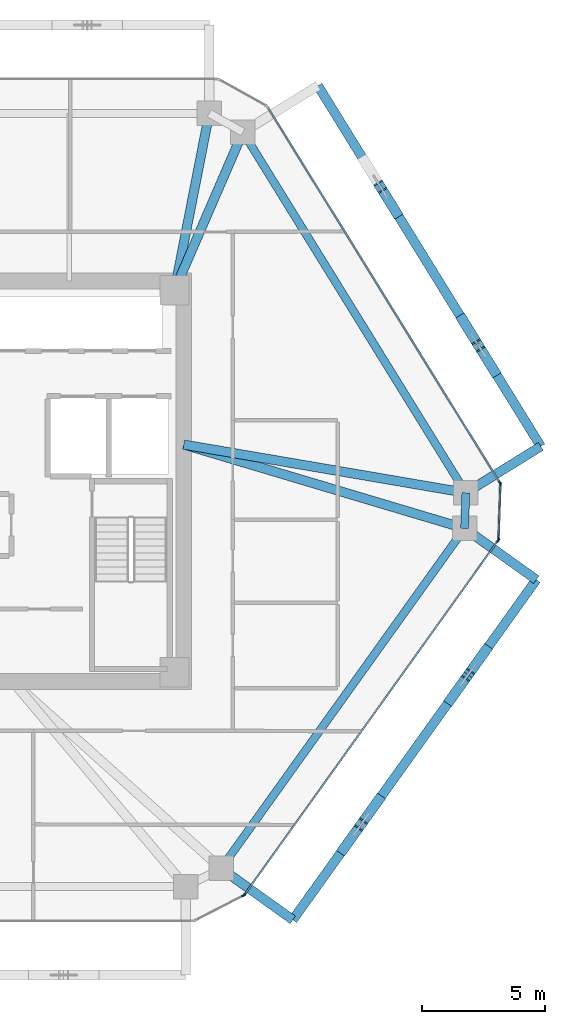
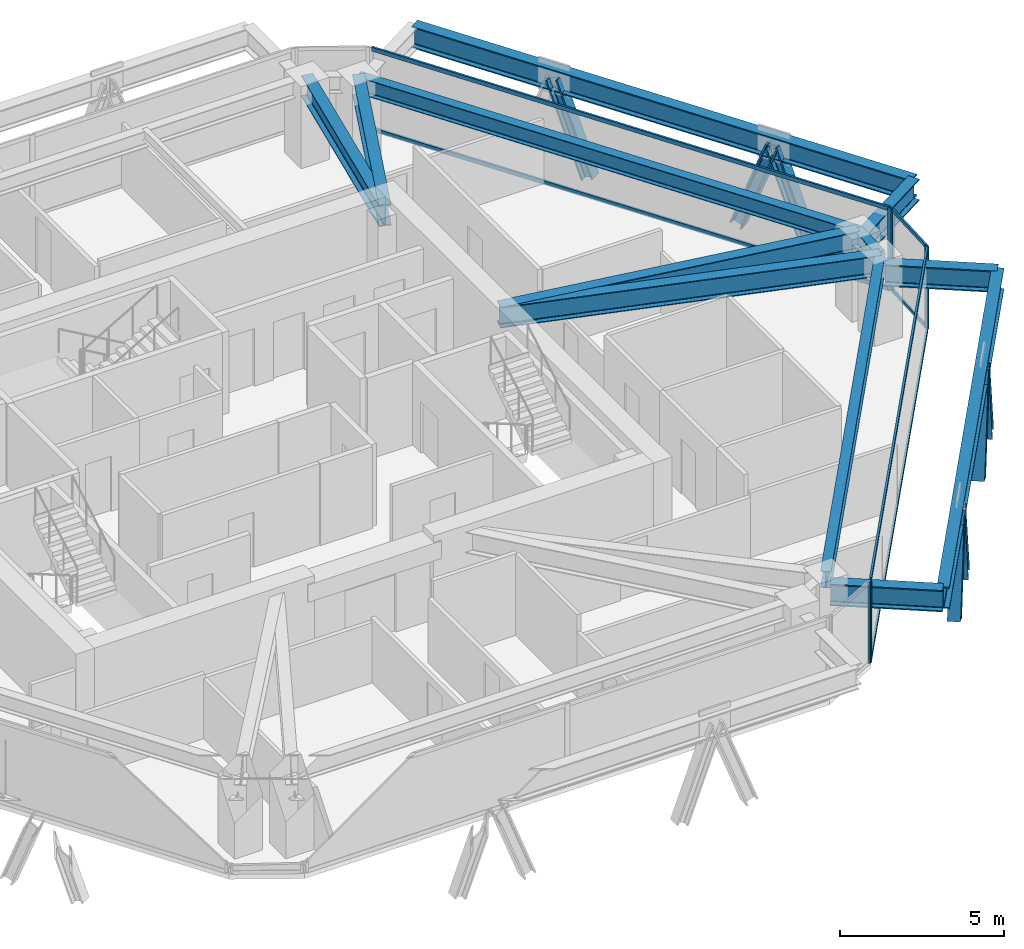
# One storey, part 5 of 14: 19 members, 12 beams, 4 elements without a shape of their own.
"""IFC4 building model written with IfcOpenShell, lengths in metres."""

from ifc_helpers import new_model, si_unit, direction, frame, origin, origin_2d, place, context, subcontext, project, spatial, rectangle, i_section, extrude, source, transform, mapped, material, layer, layer_set, material_profile, profile_set, type_object, type_shapes, element, aggregate, save


model = new_model("IFC4")

# Units and contexts
model_context = context("Model", 3, precision=1e-05, world=origin(), true_north=direction((0.0, 1.0)))
body_context = subcontext(model_context, "Body", "Model", "MODEL_VIEW")
ifc_project = project(units=[si_unit("LENGTHUNIT", "METRE"), si_unit("AREAUNIT", "SQUARE_METRE"), si_unit("VOLUMEUNIT", "CUBIC_METRE"), si_unit("PLANEANGLEUNIT", "RADIAN"), si_unit("MASSUNIT", "GRAM", prefix="KILO")], contexts=[model_context])

# Site, building, storey
site_placement = place(None, origin())
site = spatial("IfcSite", under=ifc_project, at=site_placement, CompositionType="ELEMENT")
building_placement = place(site_placement, origin())
building = spatial("IfcBuilding", under=site, at=building_placement, Name="Durnholm Broadcast Tower", CompositionType="ELEMENT")
storey_placement = place(building_placement, frame((0.0, 0.0, 187.0)))
storey = spatial("IfcBuildingStorey", under=building, at=storey_placement, Name="L51", CompositionType="ELEMENT", Elevation=187.0)

# Beams
ifc_material_1 = material(Name="Steel ASTM A992 Grade 50", Category="steel")
ifc_material_profile_1 = material_profile(ifc_material_1, i_section(OverallWidth=0.385009765625, OverallDepth=0.802978515625, WebThickness=0.023681640625, FlangeThickness=0.0419921875, FilletRadius=0.032958984375, at=origin_2d()), Name="W30X261")
ifc_profile_set_1 = profile_set([ifc_material_profile_1], Name="Steel ASTM A992 Grade 50")
beam_type_1 = type_object("IfcBeamType", Name="BM-EXO-TIE", PredefinedType="USERDEFINED", material=ifc_profile_set_1)
shared_shape_1 = source(origin(), body_context, "Body", "SweptSolid", [
    extrude(i_section(OverallWidth=0.385009765625, OverallDepth=0.802978515625, WebThickness=0.023681640625, FlangeThickness=0.0419921875, FilletRadius=0.032958984375, at=origin_2d()), origin(), (0.0, 0.0, 1.0), 3.4560546875),
])
for number, where, z_axis, x_axis, name in (
    (1, (11.81689453125, -15.884033203125, 2.30859375), (0.813079048773, -0.582153296346, 0.0), (0.582153296346, 0.813079048773, 0.0), "L51 exoskeleton stand-off tie bracket F2.1"),
    (2, (21.7548828125, -2.00341796875, 2.30859375), (0.813079048773, -0.582153296346, 0.0), (0.582153296346, 0.813079048773, 0.0), "L51 exoskeleton stand-off tie bracket F2.2"),
    (3, (21.8095703125, -0.3916015625, 2.30859375), (0.850662348375, 0.525712439512, 0.0), (-0.525712439512, 0.850662348375, 0.0), "L51 exoskeleton stand-off tie bracket F3.1"),
):
    element("IfcBeam", number, at=place(storey_placement, frame(where, z_axis=z_axis, x_axis=x_axis)), inside=storey, type_object=beam_type_1, Name=name, ObjectType="GIRDER", PredefinedType="USERDEFINED", context=body_context, shape_type="MappedRepresentation", body=[
        mapped(shared_shape_1, transform((0.0, 0.0, 0.0), x_axis=(1.0, 0.0, 0.0), y_axis=(0.0, 1.0, 0.0), z_axis=(0.0, 0.0, 1.0), scale=1.0)),
    ])
ifc_material_profile_2 = material_profile(ifc_material_1, i_section(OverallWidth=0.3251953125, OverallDepth=0.6162109375, WebThickness=0.013916015625, FlangeThickness=0.021484375, FilletRadius=0.02783203125, at=origin_2d()), Name="W24X117")
ifc_profile_set_2 = profile_set([ifc_material_profile_2], Name="Steel ASTM A992 Grade 50")
beam_type_2 = type_object("IfcBeamType", Name="STL-SP-W24X117", PredefinedType="SPANDREL", material=ifc_profile_set_2)
shared_shape_2 = source(origin(), body_context, "Body", "SweptSolid", [
    extrude(i_section(OverallWidth=0.3251953125, OverallDepth=0.6162109375, WebThickness=0.013916015625, FlangeThickness=0.021484375, FilletRadius=0.02783203125, at=origin_2d()), origin(), (0.0, 0.0, 1.0), 17.30322265625),
])
beam_1_placement = place(storey_placement, frame((12.5908203125, 14.252197265625, 2.73681640625), z_axis=(0.525691424148, -0.850675335588, 0.0), x_axis=(0.850675335588, 0.525691424148, 0.0)))
element("IfcBeam", 4, at=beam_1_placement, inside=storey, type_object=beam_type_2, Name="L51 perimeter spandrel girder 07", PredefinedType="SPANDREL", context=body_context, shape_type="MappedRepresentation", body=[
    mapped(shared_shape_2, transform((0.0, 0.0, 0.0), x_axis=(1.0, 0.0, 0.0), y_axis=(0.0, 1.0, 0.0), z_axis=(0.0, 0.0, 1.0), scale=1.0)),
])
shared_shape_3 = source(origin(), body_context, "Body", "SweptSolid", [
    extrude(i_section(OverallWidth=0.3251953125, OverallDepth=0.6162109375, WebThickness=0.013916015625, FlangeThickness=0.021484375, FilletRadius=0.02783203125, at=origin_2d()), origin(), (0.0, 0.0, 1.0), 1.453125),
])
beam_2_placement = place(storey_placement, frame((21.68701171875, -0.46728515625, 2.73681640625), z_axis=(-0.033767922326, -0.99942970109, 0.0), x_axis=(0.99942970109, -0.033767922326, 0.0)))
element("IfcBeam", 5, at=beam_2_placement, inside=storey, type_object=beam_type_2, Name="L51 perimeter spandrel girder 08", PredefinedType="SPANDREL", context=body_context, shape_type="MappedRepresentation", body=[
    mapped(shared_shape_3, transform((0.0, 0.0, 0.0), x_axis=(1.0, 0.0, 0.0), y_axis=(0.0, 1.0, 0.0), z_axis=(0.0, 0.0, 1.0), scale=1.0)),
])
shared_shape_4 = source(origin(), body_context, "Body", "SweptSolid", [
    extrude(i_section(OverallWidth=0.3251953125, OverallDepth=0.6162109375, WebThickness=0.013916015625, FlangeThickness=0.021484375, FilletRadius=0.02783203125, at=origin_2d()), origin(), (0.0, 0.0, 1.0), 17.071533203125),
])
type_shapes(beam_type_2, [shared_shape_2, shared_shape_3, shared_shape_4])
beam_3_placement = place(storey_placement, frame((21.637939453125, -1.919677734375, 2.73681640625), z_axis=(-0.582149612352, -0.813081686449, 0.0), x_axis=(0.813081686449, -0.582149612352, 0.0)))
element("IfcBeam", 6, at=beam_3_placement, inside=storey, type_object=beam_type_2, Name="L51 perimeter spandrel girder 09", PredefinedType="SPANDREL", context=body_context, shape_type="MappedRepresentation", body=[
    mapped(shared_shape_4, transform((0.0, 0.0, 0.0), x_axis=(1.0, 0.0, 0.0), y_axis=(0.0, 1.0, 0.0), z_axis=(0.0, 0.0, 1.0), scale=1.0)),
])
ifc_material_profile_3 = material_profile(ifc_material_1, i_section(OverallWidth=0.380615234375, OverallDepth=0.773193359375, WebThickness=0.0166015625, FlangeThickness=0.027099609375, FilletRadius=0.032958984375, at=origin_2d()), Name="W30X173")
ifc_profile_set_3 = profile_set([ifc_material_profile_3], Name="Steel ASTM A992 Grade 50")
beam_type_3 = type_object("IfcBeamType", Name="STL-GR-W30X173", PredefinedType="USERDEFINED", material=ifc_profile_set_3)
shared_shape_5 = source(origin(), body_context, "Body", "SweptSolid", [
    extrude(i_section(OverallWidth=0.380615234375, OverallDepth=0.773193359375, WebThickness=0.0166015625, FlangeThickness=0.027099609375, FilletRadius=0.032958984375, at=origin_2d()), origin(), (0.0, 0.0, 1.0), 7.35595703125),
])
beam_4_placement = place(storey_placement, frame((9.800048828125, 7.800048828125, 2.658447265625), z_axis=(0.192700221893, 0.981257674865, 0.0), x_axis=(-0.981257674865, 0.192700221893, 0.0)))
element("IfcBeam", 7, at=beam_4_placement, inside=storey, type_object=beam_type_3, Name="L51 radial primary floor girder 06", ObjectType="GIRDER", PredefinedType="USERDEFINED", context=body_context, shape_type="MappedRepresentation", body=[
    mapped(shared_shape_5, transform((0.0, 0.0, 0.0), x_axis=(1.0, 0.0, 0.0), y_axis=(0.0, 1.0, 0.0), z_axis=(0.0, 0.0, 1.0), scale=1.0)),
])
shared_shape_6 = source(origin(), body_context, "Body", "SweptSolid", [
    extrude(i_section(OverallWidth=0.380615234375, OverallDepth=0.773193359375, WebThickness=0.0166015625, FlangeThickness=0.027099609375, FilletRadius=0.032958984375, at=origin_2d()), origin(), (0.0, 0.0, 1.0), 7.02978515625),
])
beam_5_placement = place(storey_placement, frame((9.800048828125, 7.800048828125, 2.658447265625), z_axis=(0.396989434191, 0.91782317967, 0.0), x_axis=(-0.91782317967, 0.396989434191, 0.0)))
element("IfcBeam", 8, at=beam_5_placement, inside=storey, type_object=beam_type_3, Name="L51 radial primary floor girder 07", ObjectType="GIRDER", PredefinedType="USERDEFINED", context=body_context, shape_type="MappedRepresentation", body=[
    mapped(shared_shape_6, transform((0.0, 0.0, 0.0), x_axis=(1.0, 0.0, 0.0), y_axis=(0.0, 1.0, 0.0), z_axis=(0.0, 0.0, 1.0), scale=1.0)),
])
shared_shape_7 = source(origin(), body_context, "Body", "SweptSolid", [
    extrude(i_section(OverallWidth=0.385009765625, OverallDepth=0.802978515625, WebThickness=0.023681640625, FlangeThickness=0.0419921875, FilletRadius=0.032958984375, at=origin_2d()), origin(), (0.0, 0.0, 1.0), 17.071533203125),
])
beam_6_placement = place(storey_placement, frame((14.626953125, -17.89599609375, 2.30859375), z_axis=(0.582140157836, 0.813088455603, 0.0), x_axis=(-0.813088455603, 0.582140157836, 0.0)))
element("IfcBeam", 9, at=beam_6_placement, inside=storey, type_object=beam_type_1, Name="L51 exoskeleton collector spandrel F2", PredefinedType="SPANDREL", context=body_context, shape_type="MappedRepresentation", body=[
    mapped(shared_shape_7, transform((0.0, 0.0, 0.0), x_axis=(1.0, 0.0, 0.0), y_axis=(0.0, 1.0, 0.0), z_axis=(0.0, 0.0, 1.0), scale=1.0)),
])
shared_shape_8 = source(origin(), body_context, "Body", "SweptSolid", [
    extrude(i_section(OverallWidth=0.385009765625, OverallDepth=0.802978515625, WebThickness=0.023681640625, FlangeThickness=0.0419921875, FilletRadius=0.032958984375, at=origin_2d()), origin(), (0.0, 0.0, 1.0), 17.303466796875),
])
type_shapes(beam_type_1, [shared_shape_1, shared_shape_7, shared_shape_8])
beam_7_placement = place(storey_placement, frame((24.74951171875, 1.42529296875, 2.30859375), z_axis=(-0.525701634347, 0.850669025911, 0.0), x_axis=(-0.850669025911, -0.525701634347, 0.0)))
element("IfcBeam", 10, at=beam_7_placement, inside=storey, type_object=beam_type_1, Name="L51 exoskeleton collector spandrel F3", PredefinedType="SPANDREL", context=body_context, shape_type="MappedRepresentation", body=[
    mapped(shared_shape_8, transform((0.0, 0.0, 0.0), x_axis=(1.0, 0.0, 0.0), y_axis=(0.0, 1.0, 0.0), z_axis=(0.0, 0.0, 1.0), scale=1.0)),
])
shared_shape_9 = source(origin(), body_context, "Body", "SweptSolid", [
    extrude(i_section(OverallWidth=0.380615234375, OverallDepth=0.773193359375, WebThickness=0.0166015625, FlangeThickness=0.027099609375, FilletRadius=0.032958984375, at=origin_2d()), origin(), (0.0, 0.0, 1.0), 11.678955078125),
])
beam_8_placement = place(storey_placement, frame((10.175048828125, 1.5, 2.658447265625), z_axis=(0.985710446264, -0.168448556317, 0.0), x_axis=(0.168448556317, 0.985710446264, 0.0)))
element("IfcBeam", 11, at=beam_8_placement, inside=storey, type_object=beam_type_3, Name="L51 radial primary floor girder 08", ObjectType="GIRDER", PredefinedType="USERDEFINED", context=body_context, shape_type="MappedRepresentation", body=[
    mapped(shared_shape_9, transform((0.0, 0.0, 0.0), x_axis=(1.0, 0.0, 0.0), y_axis=(0.0, 1.0, 0.0), z_axis=(0.0, 0.0, 1.0), scale=1.0)),
])
shared_shape_10 = source(origin(), body_context, "Body", "SweptSolid", [
    extrude(i_section(OverallWidth=0.380615234375, OverallDepth=0.773193359375, WebThickness=0.0166015625, FlangeThickness=0.027099609375, FilletRadius=0.032958984375, at=origin_2d()), origin(), (0.0, 0.0, 1.0), 11.962158203125),
])
type_shapes(beam_type_3, [shared_shape_5, shared_shape_6, shared_shape_9, shared_shape_10])
beam_9_placement = place(storey_placement, frame((10.175048828125, 1.5, 2.658447265625), z_axis=(0.958266673737, -0.285875815706, 0.0), x_axis=(0.285875815706, 0.958266673737, 0.0)))
element("IfcBeam", 12, at=beam_9_placement, inside=storey, type_object=beam_type_3, Name="L51 radial primary floor girder 09", ObjectType="GIRDER", PredefinedType="USERDEFINED", context=body_context, shape_type="MappedRepresentation", body=[
    mapped(shared_shape_10, transform((0.0, 0.0, 0.0), x_axis=(1.0, 0.0, 0.0), y_axis=(0.0, 1.0, 0.0), z_axis=(0.0, 0.0, 1.0), scale=1.0)),
])

# Members
ifc_material_2 = material(Name="Steel ASTM A913 Grade 65", Category="steel")
ifc_material_profile_4 = material_profile(ifc_material_2, i_section(OverallWidth=0.412109375, OverallDepth=0.434814453125, WebThickness=0.035888671875, FlangeThickness=0.057373046875, FilletRadius=0.030517578125, at=origin_2d()), Name="W14X311")
ifc_profile_set_4 = profile_set([ifc_material_profile_4], Name="Steel ASTM A913 Grade 65")
member_type_1 = type_object("IfcMemberType", Name="STL-DG-W14X311", PredefinedType="BRACE", material=ifc_profile_set_4)
shared_shape_11 = source(origin(), body_context, "Body", "SweptSolid", [
    extrude(i_section(OverallWidth=0.412109375, OverallDepth=0.434814453125, WebThickness=0.035888671875, FlangeThickness=0.057373046875, FilletRadius=0.030517578125, at=origin_2d()), origin(), (0.0, 0.0, 1.0), 3.523193359375),
])
for number, where, z_axis, x_axis, name in (
    (13, (16.69140625, -15.0126953125, -0.991455078125), (0.203869234398, 0.284737826017, 0.936675880815), (-0.813077820009, 0.582155012526, 0.0), "L51 stand-off diagrid brace F2.D1.1"),
    (14, (18.1279296875, -13.00634765625, -0.991455078125), (-0.203869234398, -0.284737826017, 0.936675880815), (0.813077820009, -0.582155012526, 0.0), "L51 stand-off diagrid brace F2.D1.2"),
    (15, (21.064208984375, -8.905029296875, -0.991455078125), (0.203869234398, 0.284737826017, 0.936675880815), (-0.813077820009, 0.582155012526, 0.0), "L51 stand-off diagrid brace F2.D2.1"),
    (16, (22.50048828125, -6.898681640625, -0.991455078125), (-0.203802816986, -0.284741848009, 0.936689111595), (0.813171482985, -0.58202417412, 0.0), "L51 stand-off diagrid brace F2.D2.2"),
    (17, (22.85107421875, 4.497314453125, -0.991455078125), (-0.18411903749, 0.297902800967, 0.936671821509), (-0.850644447398, -0.525741404219, 0.0), "L51 stand-off diagrid brace F3.D1.1"),
):
    element("IfcMember", number, at=place(storey_placement, frame(where, z_axis=z_axis, x_axis=x_axis)), inside=storey, type_object=member_type_1, Name=name, PredefinedType="BRACE", context=body_context, shape_type="MappedRepresentation", body=[
        mapped(shared_shape_11, transform((0.0, 0.0, 0.0), x_axis=(1.0, 0.0, 0.0), y_axis=(0.0, 1.0, 0.0), z_axis=(0.0, 0.0, 1.0), scale=1.0)),
    ])
shared_shape_12 = source(origin(), body_context, "Body", "SweptSolid", [
    extrude(i_section(OverallWidth=0.412109375, OverallDepth=0.434814453125, WebThickness=0.035888671875, FlangeThickness=0.057373046875, FilletRadius=0.030517578125, at=origin_2d()), origin(), (0.0, 0.0, 1.0), 3.52294921875),
])
type_shapes(member_type_1, [shared_shape_11, shared_shape_12])
for number, where, z_axis, x_axis, name in (
    (18, (21.553955078125, 6.59619140625, -0.991455078125), (0.184055888727, -0.297843452465, 0.936703105391), (0.85067825406, 0.525686701439, 0.0), "L51 stand-off diagrid brace F3.D1.2"),
    (19, (18.8486328125, 10.973876953125, -0.991455078125), (-0.184055888727, 0.297843452465, 0.936703105391), (-0.85067825406, -0.525686701439, 0.0), "L51 stand-off diagrid brace F3.D2.1"),
):
    element("IfcMember", number, at=place(storey_placement, frame(where, z_axis=z_axis, x_axis=x_axis)), inside=storey, type_object=member_type_1, Name=name, PredefinedType="BRACE", context=body_context, shape_type="MappedRepresentation", body=[
        mapped(shared_shape_12, transform((0.0, 0.0, 0.0), x_axis=(1.0, 0.0, 0.0), y_axis=(0.0, 1.0, 0.0), z_axis=(0.0, 0.0, 1.0), scale=1.0)),
    ])

# Curtain wall, members
ifc_material_3 = material(Name="Aluminium and Solar Control IGU", Category="aluminium")
ifc_layer_1 = layer(ifc_material_3, 0.1650390625)
ifc_layer_set_1 = layer_set([ifc_layer_1], Name="Aluminium and Solar Control IGU")
curtain_wall_type_1 = type_object("IfcCurtainWallType", Name="CW-SYS-5", PredefinedType="NOTDEFINED", material=ifc_layer_set_1)
curtain_wall_1_placement = place(storey_placement, origin())
curtain_wall_1 = element("IfcCurtainWall", 20, at=curtain_wall_1_placement, inside=storey, type_object=curtain_wall_type_1, Name="L51 curtain wall CW-CORNER CW-L51-CRN-07", PredefinedType="NOTDEFINED")
ifc_material_4 = material(Name="Aluminium 6063-T6", Category="aluminium")
ifc_material_profile_5 = material_profile(ifc_material_4, rectangle(XDim=0.06494140625, YDim=0.1650390625, at=origin_2d()), Name="CWM65X165")
ifc_profile_set_5 = profile_set([ifc_material_profile_5], Name="Aluminium 6063-T6")
member_type_2 = type_object("IfcMemberType", Name="CW-SYS-5-MUL", PredefinedType="MULLION", material=ifc_profile_set_5)
shared_shape_13 = source(origin(), body_context, "Body", "SweptSolid", [
    extrude(rectangle(XDim=0.06494140625, YDim=0.1650390625, at=origin_2d()), origin(), (0.0, 0.0, 1.0), 3.06005859375),
])
type_shapes(member_type_2, [shared_shape_13])
member_1_placement = place(storey_placement, frame((23.099609375, -0.1240234375, 0.0), z_axis=(0.0, 0.0, 1.0), x_axis=(0.999424798802, -0.033912704699, 0.0)))
member_1 = element("IfcMember", 21, at=member_1_placement, type_object=member_type_2, Name="CW-CORNER mullion 1", PredefinedType="MULLION", context=body_context, shape_type="MappedRepresentation", body=[
    mapped(shared_shape_13, transform((0.0, 0.0, 0.0), x_axis=(1.0, 0.0, 0.0), y_axis=(0.0, 1.0, 0.0), z_axis=(0.0, 0.0, 1.0), scale=1.0)),
])
member_2_placement = place(storey_placement, frame((23.023681640625, -2.35791015625, 0.0), z_axis=(0.0, 0.0, 1.0), x_axis=(0.999424798802, -0.033912704699, 0.0)))
member_2 = element("IfcMember", 22, at=member_2_placement, type_object=member_type_2, Name="CW-CORNER mullion 2", PredefinedType="MULLION", context=body_context, shape_type="MappedRepresentation", body=[
    mapped(shared_shape_13, transform((0.0, 0.0, 0.0), x_axis=(1.0, 0.0, 0.0), y_axis=(0.0, 1.0, 0.0), z_axis=(0.0, 0.0, 1.0), scale=1.0)),
])

# Curtain wall, member
curtain_wall_2_placement = place(storey_placement, origin())
curtain_wall_2 = element("IfcCurtainWall", 23, at=curtain_wall_2_placement, inside=storey, type_object=curtain_wall_type_1, Name="L51 curtain wall CW-CORNER CW-L51-CRN-09", PredefinedType="NOTDEFINED")
member_3_placement = place(storey_placement, frame((12.612060546875, -16.905517578125, 0.0), z_axis=(0.0, 0.0, 1.0), x_axis=(0.457081764476, -0.889424679545, 0.0)))
member_3 = element("IfcMember", 24, at=member_3_placement, type_object=member_type_2, Name="CW-CORNER mullion 1", PredefinedType="MULLION", context=body_context, shape_type="MappedRepresentation", body=[
    mapped(shared_shape_13, transform((0.0, 0.0, 0.0), x_axis=(1.0, 0.0, 0.0), y_axis=(0.0, 1.0, 0.0), z_axis=(0.0, 0.0, 1.0), scale=1.0)),
])
aggregate(curtain_wall_2, [member_3])

# Member
ifc_material_profile_6 = material_profile(ifc_material_4, rectangle(XDim=0.06494140625, YDim=0.1298828125, at=origin_2d()), Name="CWT65X130")
ifc_profile_set_6 = profile_set([ifc_material_profile_6], Name="Aluminium 6063-T6")
member_type_3 = type_object("IfcMemberType", Name="CW-SYS-5-TRN", PredefinedType="USERDEFINED", material=ifc_profile_set_6)
shared_shape_14 = source(origin(), body_context, "Body", "SweptSolid", [
    extrude(rectangle(XDim=0.06494140625, YDim=0.1298828125, at=origin_2d()), origin(), (0.0, 0.0, 1.0), 2.170166015625),
])
type_shapes(member_type_3, [shared_shape_14])
member_4_placement = place(storey_placement, frame((23.098388671875, -0.156494140625, 0.032470703125), z_axis=(-0.033861704743, -0.999426528041, 0.0), x_axis=(0.999426528041, -0.033861704743, 0.0)))
member_4 = element("IfcMember", 25, at=member_4_placement, type_object=member_type_3, Name="CW-CORNER transom 1.1", ObjectType="TRANSOM", PredefinedType="USERDEFINED", context=body_context, shape_type="MappedRepresentation", body=[
    mapped(shared_shape_14, transform((0.0, 0.0, 0.0), x_axis=(1.0, 0.0, 0.0), y_axis=(0.0, 1.0, 0.0), z_axis=(0.0, 0.0, 1.0), scale=1.0)),
])

member_5_placement = place(storey_placement, frame((23.098388671875, -0.156494140625, 3.027587890625), z_axis=(-0.033861704743, -0.999426528041, 0.0), x_axis=(0.999426528041, -0.033861704743, 0.0)))
member_5 = element("IfcMember", 26, at=member_5_placement, type_object=member_type_3, Name="CW-CORNER transom 1.2", ObjectType="TRANSOM", PredefinedType="USERDEFINED", context=body_context, shape_type="MappedRepresentation", body=[
    mapped(shared_shape_14, transform((0.0, 0.0, 0.0), x_axis=(1.0, 0.0, 0.0), y_axis=(0.0, 1.0, 0.0), z_axis=(0.0, 0.0, 1.0), scale=1.0)),
])

aggregate(curtain_wall_1, [member_1, member_2, member_4, member_5])

# Curtain wall, members
ifc_layer_2 = layer(ifc_material_3, 0.18994140625)
ifc_layer_set_2 = layer_set([ifc_layer_2], Name="Aluminium and Solar Control IGU")
curtain_wall_type_2 = type_object("IfcCurtainWallType", Name="CW-SYS-4", PredefinedType="NOTDEFINED", material=ifc_layer_set_2)
curtain_wall_3_placement = place(storey_placement, origin())
curtain_wall_3 = element("IfcCurtainWall", 27, at=curtain_wall_3_placement, inside=storey, type_object=curtain_wall_type_2, Name="L51 curtain wall CW-Z34-VIS CW-L51-F06", PredefinedType="NOTDEFINED")
ifc_material_profile_7 = material_profile(ifc_material_4, rectangle(XDim=0.070068359375, YDim=0.14990234375, at=origin_2d()), Name="CWT70X150")
ifc_profile_set_7 = profile_set([ifc_material_profile_7], Name="Aluminium 6063-T6")
member_type_4 = type_object("IfcMemberType", Name="CW-SYS-4-TRN", PredefinedType="USERDEFINED", material=ifc_profile_set_7)
shared_shape_15 = source(origin(), body_context, "Body", "SweptSolid", [
    extrude(rectangle(XDim=0.070068359375, YDim=0.14990234375, at=origin_2d()), origin(), (0.0, 0.0, 1.0), 17.950927734375),
])
member_6_placement = place(storey_placement, frame((13.627197265625, 15.23828125, 0.034912109375), z_axis=(0.525699895853, -0.850670100274, 0.0), x_axis=(0.850670100274, 0.525699895853, 0.0)))
member_6 = element("IfcMember", 28, at=member_6_placement, type_object=member_type_4, Name="CW-Z34-VIS transom 1.1", ObjectType="TRANSOM", PredefinedType="USERDEFINED", context=body_context, shape_type="MappedRepresentation", body=[
    mapped(shared_shape_15, transform((0.0, 0.0, 0.0), x_axis=(1.0, 0.0, 0.0), y_axis=(0.0, 1.0, 0.0), z_axis=(0.0, 0.0, 1.0), scale=1.0)),
])
member_7_placement = place(storey_placement, frame((13.627197265625, 15.23828125, 3.02490234375), z_axis=(0.525699895853, -0.850670100274, 0.0), x_axis=(0.850670100274, 0.525699895853, 0.0)))
member_7 = element("IfcMember", 29, at=member_7_placement, type_object=member_type_4, Name="CW-Z34-VIS transom 1.2", ObjectType="TRANSOM", PredefinedType="USERDEFINED", context=body_context, shape_type="MappedRepresentation", body=[
    mapped(shared_shape_15, transform((0.0, 0.0, 0.0), x_axis=(1.0, 0.0, 0.0), y_axis=(0.0, 1.0, 0.0), z_axis=(0.0, 0.0, 1.0), scale=1.0)),
])

curtain_wall_4_placement = place(storey_placement, origin())
curtain_wall_4 = element("IfcCurtainWall", 30, at=curtain_wall_4_placement, inside=storey, type_object=curtain_wall_type_2, Name="L51 curtain wall CW-Z34-VIS CW-L51-F08", PredefinedType="NOTDEFINED")
shared_shape_16 = source(origin(), body_context, "Body", "SweptSolid", [
    extrude(rectangle(XDim=0.070068359375, YDim=0.14990234375, at=origin_2d()), origin(), (0.0, 0.0, 1.0), 17.693603515625),
])
type_shapes(member_type_4, [shared_shape_15, shared_shape_16])
member_8_placement = place(storey_placement, frame((22.98193359375, -2.447265625, 0.034912109375), z_axis=(-0.582144969277, -0.813085010774, 0.0), x_axis=(0.813085010774, -0.582144969277, 0.0)))
member_8 = element("IfcMember", 31, at=member_8_placement, type_object=member_type_4, Name="CW-Z34-VIS transom 1.1", ObjectType="TRANSOM", PredefinedType="USERDEFINED", context=body_context, shape_type="MappedRepresentation", body=[
    mapped(shared_shape_16, transform((0.0, 0.0, 0.0), x_axis=(1.0, 0.0, 0.0), y_axis=(0.0, 1.0, 0.0), z_axis=(0.0, 0.0, 1.0), scale=1.0)),
])
member_9_placement = place(storey_placement, frame((22.98193359375, -2.447265625, 3.02490234375), z_axis=(-0.582144969277, -0.813085010774, 0.0), x_axis=(0.813085010774, -0.582144969277, 0.0)))
member_9 = element("IfcMember", 32, at=member_9_placement, type_object=member_type_4, Name="CW-Z34-VIS transom 1.2", ObjectType="TRANSOM", PredefinedType="USERDEFINED", context=body_context, shape_type="MappedRepresentation", body=[
    mapped(shared_shape_16, transform((0.0, 0.0, 0.0), x_axis=(1.0, 0.0, 0.0), y_axis=(0.0, 1.0, 0.0), z_axis=(0.0, 0.0, 1.0), scale=1.0)),
])

# Member
ifc_material_profile_8 = material_profile(ifc_material_4, rectangle(XDim=0.070068359375, YDim=0.18994140625, at=origin_2d()), Name="CWM70X190")
ifc_profile_set_8 = profile_set([ifc_material_profile_8], Name="Aluminium 6063-T6")
member_type_5 = type_object("IfcMemberType", Name="CW-SYS-4-MUL", PredefinedType="MULLION", material=ifc_profile_set_8)
shared_shape_17 = source(origin(), body_context, "Body", "SweptSolid", [
    extrude(rectangle(XDim=0.070068359375, YDim=0.18994140625, at=origin_2d()), origin(), (0.0, 0.0, 1.0), 3.06005859375),
])
type_shapes(member_type_5, [shared_shape_17])
member_10_placement = place(storey_placement, frame((23.082275390625, -0.061767578125, 0.0), z_axis=(0.0, 0.0, 1.0), x_axis=(0.850671426092, 0.525697750452, 0.0)))
member_10 = element("IfcMember", 33, at=member_10_placement, type_object=member_type_5, Name="CW-Z34-VIS mullion 2", PredefinedType="MULLION", context=body_context, shape_type="MappedRepresentation", body=[
    mapped(shared_shape_17, transform((0.0, 0.0, 0.0), x_axis=(1.0, 0.0, 0.0), y_axis=(0.0, 1.0, 0.0), z_axis=(0.0, 0.0, 1.0), scale=1.0)),
])

aggregate(curtain_wall_3, [member_10, member_6, member_7])

member_11_placement = place(storey_placement, frame((23.00244140625, -2.418701171875, 0.0), z_axis=(0.0, 0.0, 1.0), x_axis=(0.813089262696, -0.582139030549, 0.0)))
member_11 = element("IfcMember", 34, at=member_11_placement, type_object=member_type_5, Name="CW-Z34-VIS mullion 1", PredefinedType="MULLION", context=body_context, shape_type="MappedRepresentation", body=[
    mapped(shared_shape_17, transform((0.0, 0.0, 0.0), x_axis=(1.0, 0.0, 0.0), y_axis=(0.0, 1.0, 0.0), z_axis=(0.0, 0.0, 1.0), scale=1.0)),
])

member_12_placement = place(storey_placement, frame((12.661376953125, -16.8623046875, 0.0), z_axis=(0.0, 0.0, 1.0), x_axis=(0.813089262696, -0.582139030549, 0.0)))
member_12 = element("IfcMember", 35, at=member_12_placement, type_object=member_type_5, Name="CW-Z34-VIS mullion 2", PredefinedType="MULLION", context=body_context, shape_type="MappedRepresentation", body=[
    mapped(shared_shape_17, transform((0.0, 0.0, 0.0), x_axis=(1.0, 0.0, 0.0), y_axis=(0.0, 1.0, 0.0), z_axis=(0.0, 0.0, 1.0), scale=1.0)),
])

aggregate(curtain_wall_4, [member_11, member_12, member_8, member_9])

save(model, "model.ifc")
